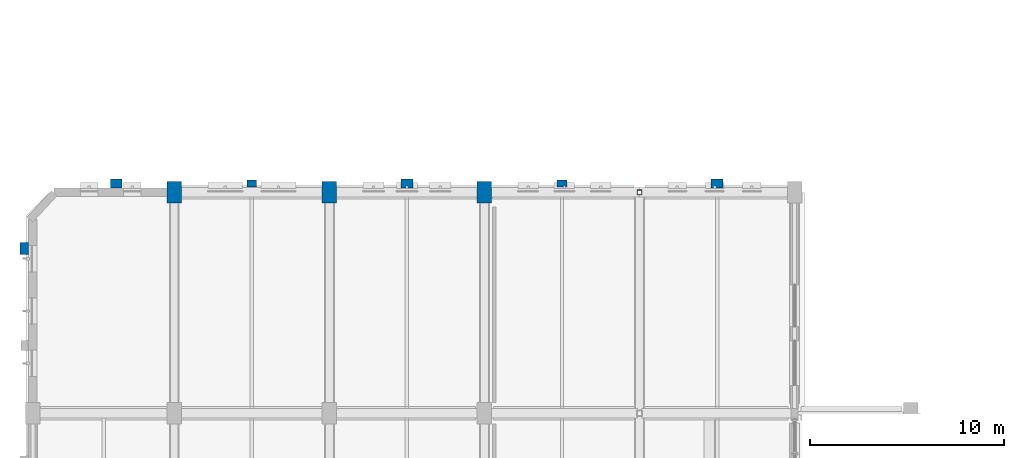
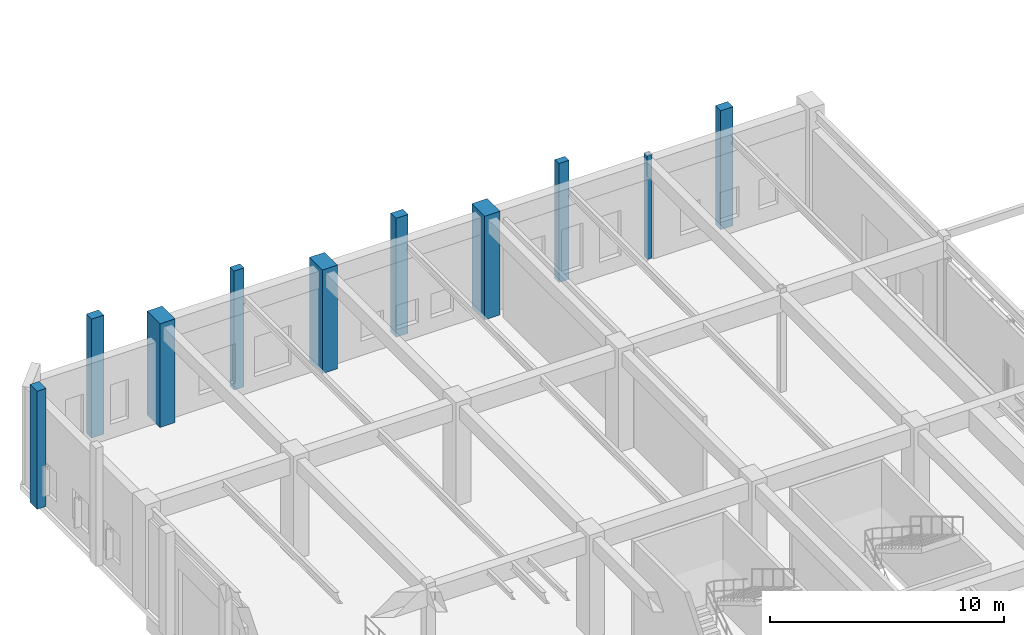
# One storey, part 13 of 113: 10 columns.
"""IFC4 building model written with IfcOpenShell, lengths in metres."""

from ifc_helpers import new_model, si_unit, direction, frame, origin, origin_2d, place, context, subcontext, project, spatial, rectangle, hollow_rectangle, extrude, material, material_profile, profile_set, type_object, element, save


model = new_model("IFC4")

# Units and contexts
model_context = context("Model", 3, precision=1e-05, world=origin(), true_north=direction((0.0, 1.0)))
body_context = subcontext(model_context, "Body", "Model", "MODEL_VIEW")
ifc_project = project(units=[si_unit("LENGTHUNIT", "METRE"), si_unit("AREAUNIT", "SQUARE_METRE"), si_unit("VOLUMEUNIT", "CUBIC_METRE"), si_unit("PLANEANGLEUNIT", "RADIAN"), si_unit("MASSUNIT", "GRAM", prefix="KILO"), si_unit("POWERUNIT", "WATT"), si_unit("THERMODYNAMICTEMPERATUREUNIT", "KELVIN")], contexts=[model_context])

# Site, building, storey
site_placement = place(None, origin())
site = spatial("IfcSite", under=ifc_project, at=site_placement, CompositionType="ELEMENT")
building_placement = place(site_placement, origin())
building = spatial("IfcBuilding", under=site, at=building_placement, Name="Kelmbourne Parkland Aquatics Centre", CompositionType="ELEMENT")
storey_placement = place(building_placement, origin())
storey = spatial("IfcBuildingStorey", under=building, at=storey_placement, Name="L00", CompositionType="ELEMENT", Elevation=0.0)

# Columns
ifc_material_1 = material(Name="Concrete C40/50", Category="concrete")
ifc_material_profile_1 = material_profile(ifc_material_1, rectangle(XDim=0.75, YDim=1.10009765625, at=origin_2d()), Name="RC 750x1100")
ifc_profile_set_1 = profile_set([ifc_material_profile_1], Name="Concrete C40/50")
column_type_1 = type_object("IfcColumnType", Name="COL-C03", PredefinedType="COLUMN", material=ifc_profile_set_1)
for number, where, z_axis, x_axis, name in (
    (1, (8.0, 103.39990234375, 0.0), (0.0, 0.0, 1.0), (1.0, 0.0, 0.0), "Structural column B-13 (L00)"),
    (2, (16.0, 103.39990234375, 0.0), (0.0, 0.0, 1.0), (1.0, 0.0, 0.0), "Structural column C-13 (L00)"),
    (3, (24.0, 103.39990234375, 0.0), (0.0, 0.0, 1.0), (1.0, 0.0, 0.0), "Structural column D-13 (L00)"),
):
    element("IfcColumn", number, at=place(storey_placement, frame(where, z_axis=z_axis, x_axis=x_axis)), inside=storey, type_object=column_type_1, Name=name, PredefinedType="COLUMN", context=body_context, shape_type="SweptSolid", body=[
        extrude(rectangle(XDim=0.75, YDim=1.10009765625, at=origin_2d()), origin(), (0.0, 0.0, 1.0), 5.39990234375),
    ])
ifc_material_2 = material(Name="Cold-formed hollow steel AS/NZS 1163 C350L0", Category="steel")
ifc_material_profile_2 = material_profile(ifc_material_2, hollow_rectangle(XDim=0.25, YDim=0.25, WallThickness=0.012451171875, at=origin_2d()), Name="SHS 250x250x12.5")
ifc_profile_set_2 = profile_set([ifc_material_profile_2], Name="Cold-formed hollow steel AS/NZS 1163 C350L0")
column_type_2 = type_object("IfcColumnType", Name="COL-C23", PredefinedType="COLUMN", material=ifc_profile_set_2)
column_1_placement = place(storey_placement, frame((32.0, 103.39990234375, 0.0), z_axis=(0.0, 0.0, 1.0), x_axis=(1.0, 0.0, 0.0)))
element("IfcColumn", 4, at=column_1_placement, inside=storey, type_object=column_type_2, Name="Structural column E-13 (L00)", PredefinedType="COLUMN", context=body_context, shape_type="SweptSolid", body=[
    extrude(hollow_rectangle(XDim=0.25, YDim=0.25, WallThickness=0.012451171875, at=origin_2d()), origin(), (0.0, 0.0, 1.0), 5.39990234375),
])
ifc_material_3 = material(Name="Clay brick masonry AS 3700 M12", Category="masonry")
ifc_material_profile_3 = material_profile(ifc_material_3, rectangle(XDim=0.35009765625, YDim=0.5, at=origin_2d()), Name="PIL 350x500")
ifc_profile_set_3 = profile_set([ifc_material_profile_3], Name="Clay brick masonry AS 3700 M12")
column_type_3 = type_object("IfcColumnType", Name="PIL-PL1", PredefinedType="PILASTER", material=ifc_profile_set_3)
for number, where, z_axis, x_axis, name in (
    (5, (12.0, 103.85009765625, 0.0), (0.0, 0.0, 1.0), (0.0, 1.0, 0.0), "Amsterdam School engaged brick buttress NV5-051 (L00)"),
    (6, (28.0, 103.85009765625, 0.0), (0.0, 0.0, 1.0), (0.0, 1.0, 0.0), "Amsterdam School engaged brick buttress NV5-053 (L00)"),
):
    element("IfcColumn", number, at=place(storey_placement, frame(where, z_axis=z_axis, x_axis=x_axis)), inside=storey, type_object=column_type_3, Name=name, PredefinedType="PILASTER", context=body_context, shape_type="SweptSolid", body=[
        extrude(rectangle(XDim=0.35009765625, YDim=0.5, at=origin_2d()), origin(), (0.0, 0.0, 1.0), 6.199951171875),
    ])
ifc_material_profile_4 = material_profile(ifc_material_3, rectangle(XDim=0.449951171875, YDim=0.60009765625, at=origin_2d()), Name="PIL 450x600")
ifc_profile_set_4 = profile_set([ifc_material_profile_4], Name="Clay brick masonry AS 3700 M12")
column_type_4 = type_object("IfcColumnType", Name="PIL-PL2", PredefinedType="PILASTER", material=ifc_profile_set_4)
column_2_placement = place(storey_placement, frame((0.260009765625, 100.5, 0.0), z_axis=(0.0, 0.0, 1.0), x_axis=(1.0, 0.0, 0.0)))
element("IfcColumn", 7, at=column_2_placement, inside=storey, type_object=column_type_4, Name="Amsterdam School engaged brick buttress W-018 (L00)", PredefinedType="PILASTER", context=body_context, shape_type="SweptSolid", body=[
    extrude(rectangle(XDim=0.449951171875, YDim=0.60009765625, at=origin_2d()), origin(), (0.0, 0.0, 1.0), 6.14990234375),
])
for number, where, z_axis, x_axis, name in (
    (8, (5.0, 103.85009765625, 0.0), (0.0, 0.0, 1.0), (0.0, 1.0, 0.0), "Amsterdam School engaged brick buttress NV5-050 (L00)"),
    (9, (20.0, 103.85009765625, 0.0), (0.0, 0.0, 1.0), (0.0, 1.0, 0.0), "Amsterdam School engaged brick buttress NV5-052 (L00)"),
    (10, (36.0, 103.85009765625, 0.0), (0.0, 0.0, 1.0), (0.0, 1.0, 0.0), "Amsterdam School engaged brick buttress NV5-054 (L00)"),
):
    element("IfcColumn", number, at=place(storey_placement, frame(where, z_axis=z_axis, x_axis=x_axis)), inside=storey, type_object=column_type_4, Name=name, PredefinedType="PILASTER", context=body_context, shape_type="SweptSolid", body=[
        extrude(rectangle(XDim=0.449951171875, YDim=0.60009765625, at=origin_2d()), origin(), (0.0, 0.0, 1.0), 6.199951171875),
    ])

save(model, "model.ifc")
